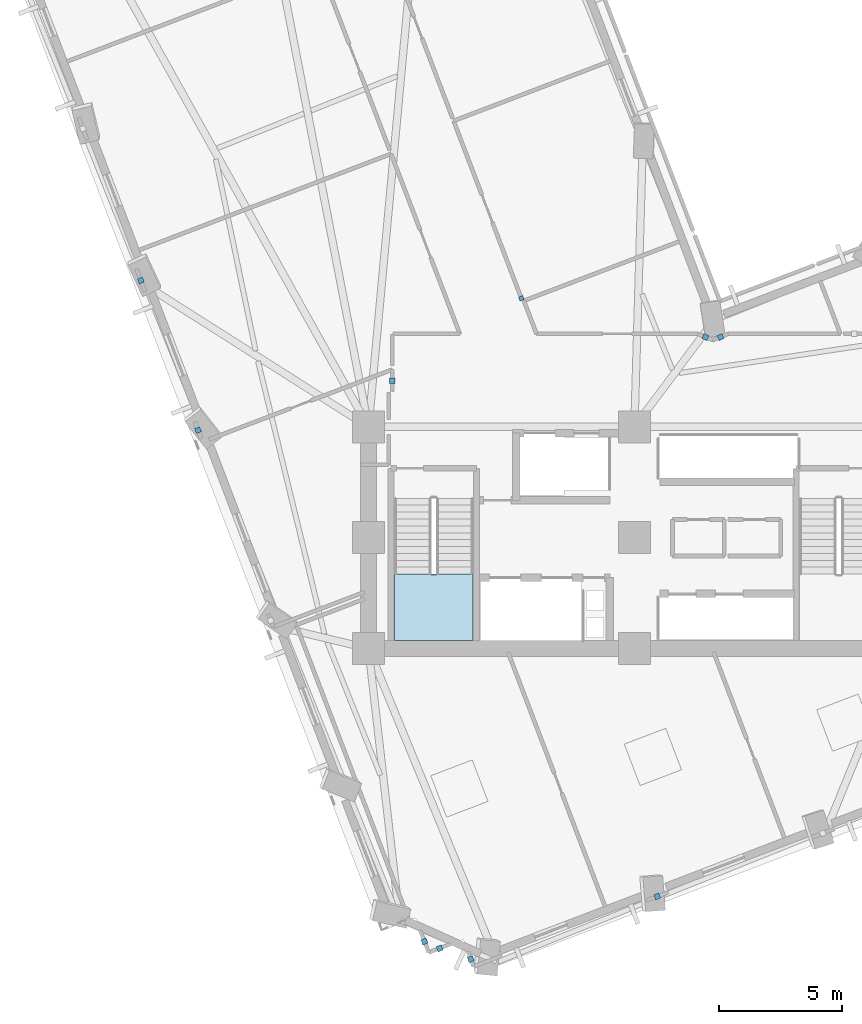
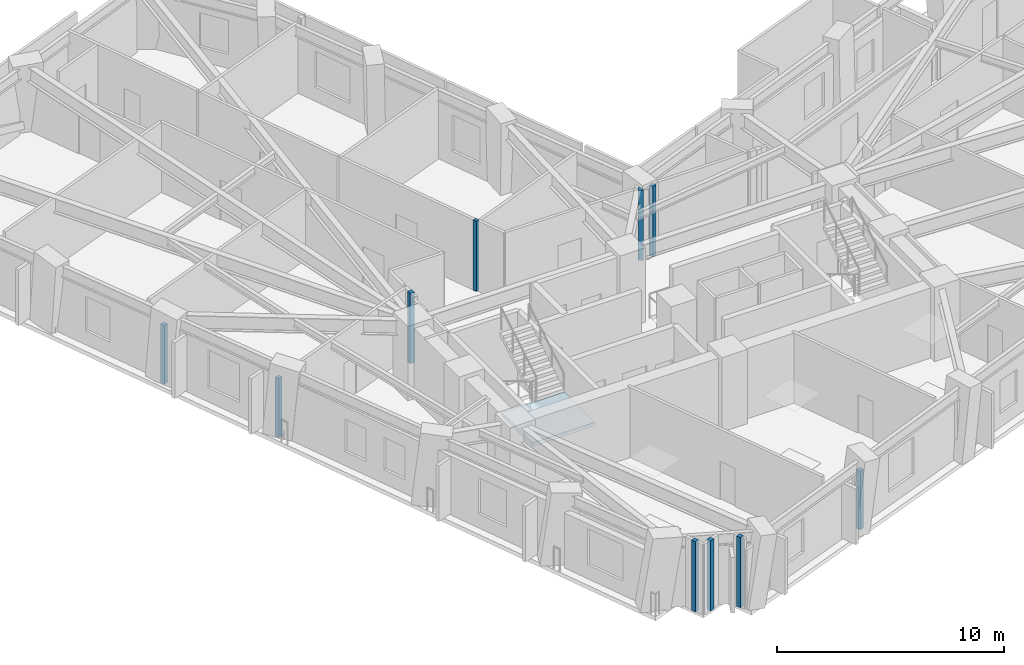
# One storey, part 3 of 15: 10 plates, 1 slab, 1 element without a shape of its own.
"""IFC4 building model written with IfcOpenShell, lengths in metres."""

from ifc_helpers import new_model, si_unit, direction, frame, origin, origin_2d, place, context, subcontext, project, spatial, polyline, rectangle, outline, extrude, material, layer, layer_set, type_object, element, aggregate, save


model = new_model("IFC4")

# Units and contexts
model_context = context("Model", 3, precision=1e-05, world=origin(), true_north=direction((0.0, 1.0)))
body_context = subcontext(model_context, "Body", "Model", "MODEL_VIEW")
ifc_project = project(units=[si_unit("LENGTHUNIT", "METRE"), si_unit("AREAUNIT", "SQUARE_METRE"), si_unit("VOLUMEUNIT", "CUBIC_METRE"), si_unit("PLANEANGLEUNIT", "RADIAN"), si_unit("MASSUNIT", "GRAM", prefix="KILO")], contexts=[model_context])

# Site, building, storey
site_placement = place(None, origin())
site = spatial("IfcSite", under=ifc_project, at=site_placement, CompositionType="ELEMENT")
building_placement = place(site_placement, origin())
building = spatial("IfcBuilding", under=site, at=building_placement, Name="Gaonmaruhae Medical Tower", CompositionType="ELEMENT")
storey_placement = place(building_placement, frame((0.0, 0.0, 112.39990234375)))
storey = spatial("IfcBuildingStorey", under=building, at=storey_placement, Name="L26", CompositionType="ELEMENT", Elevation=112.39990234375)

# Plates
ifc_material_1 = material(Name="Anodised aluminium 6063-T6", Category="aluminium")
ifc_layer_1 = layer(ifc_material_1, 0.011962890625)
ifc_layer_set_1 = layer_set([ifc_layer_1], Name="Anodised aluminium 6063-T6")
plate_type = type_object("IfcPlateType", Name="PP-01 Interior Partition Corner Stiffener Plate", PredefinedType="SHEET", material=ifc_layer_set_1)
plate_1_placement = place(storey_placement, frame((20.21044921875, 22.020263671875, 0.0), z_axis=(0.0, 0.0, 1.0), x_axis=(-0.356754304209, 0.934198247926, 0.0)))
element("IfcPlate", 1, at=plate_1_placement, inside=storey, type_object=plate_type, Name="L26 Partition End Jamb Post Plate PLT-L26-ENDP-PW085-0", PredefinedType="SHEET", context=body_context, shape_type="SweptSolid", body=[
    extrude(rectangle(XDim=0.179931640625, YDim=0.179931640625, at=origin_2d()), origin(), (0.0, 0.0, 1.0), 3.780029296875),
])
for number, where, z_axis, x_axis, name in (
    (2, (16.27099609375, -4.10400390625, 0.0), (0.0, 0.0, 1.0), (-0.356607556291, 0.934254275236, 0.0), "L26 Partition Corner Stiffener Plate PLT-L26-JGP-PW008"),
    (3, (18.14990234375, -4.820556640625, 0.0), (0.0, 0.0, 1.0), (-0.35677060899, 0.934192021247, 0.0), "L26 Partition Corner Stiffener Plate PLT-L26-JGP-PW013"),
    (4, (16.889892578125, -4.381103515625, 0.0), (0.0, 0.0, 1.0), (-0.934254275236, -0.356607556291, 0.0), "L26 Partition Corner Stiffener Plate PLT-L26-JGP-PW014"),
):
    element("IfcPlate", number, at=place(storey_placement, frame(where, z_axis=z_axis, x_axis=x_axis)), inside=storey, type_object=plate_type, Name=name, PredefinedType="SHEET", context=body_context, shape_type="SweptSolid", body=[
        extrude(rectangle(XDim=0.219970703125, YDim=0.219970703125, at=origin_2d()), origin(), (0.0, 0.0, 1.0), 3.780029296875),
    ])
plate_2_placement = place(storey_placement, frame((25.724609375, -2.2705078125, 0.0), z_axis=(0.0, 0.0, 1.0), x_axis=(-0.934372479409, -0.356297726239, 0.0)))
element("IfcPlate", 5, at=plate_2_placement, inside=storey, type_object=plate_type, Name="L26 Partition Corner Stiffener Plate PLT-L26-JGP-PW015", PredefinedType="SHEET", context=body_context, shape_type="SweptSolid", body=[
    extrude(rectangle(XDim=0.219970703125, YDim=0.219970703125, at=origin_2d()), origin(), (0.0, 0.0, 1.0), 3.1650390625),
])
plate_3_placement = place(storey_placement, frame((14.969970703125, 18.680419921875, 0.0), z_axis=(0.0, 0.0, 1.0), x_axis=(0.0, -1.0, 0.0)))
element("IfcPlate", 6, at=plate_3_placement, inside=storey, type_object=plate_type, Name="L26 Partition Corner Stiffener Plate PLT-L26-JGP-PW045", PredefinedType="SHEET", context=body_context, shape_type="SweptSolid", body=[
    extrude(rectangle(XDim=0.219970703125, YDim=0.219970703125, at=origin_2d()), origin(), (0.0, 0.0, 1.0), 3.780029296875),
])
for number, where, z_axis, x_axis, name in (
    (7, (7.076416015625, 16.6669921875, 0.0), (0.0, 0.0, 1.0), (-0.35699886451, 0.934104817854, 0.0), "L26 Partition Corner Stiffener Plate PLT-L26-JGP-PW047"),
    (8, (4.75439453125, 22.74609375, 0.0), (0.0, 0.0, 1.0), (-0.357145588947, 0.93404872908, 0.0), "L26 Partition Corner Stiffener Plate PLT-L26-JGP-PW048"),
):
    element("IfcPlate", number, at=place(storey_placement, frame(where, z_axis=z_axis, x_axis=x_axis)), inside=storey, type_object=plate_type, Name=name, PredefinedType="SHEET", context=body_context, shape_type="SweptSolid", body=[
        extrude(rectangle(XDim=0.219970703125, YDim=0.219970703125, at=origin_2d()), origin(), (0.0, 0.0, 1.0), 3.1650390625),
    ])
for number, where, z_axis, x_axis, name in (
    (9, (28.299072265625, 20.450927734375, 0.0), (0.0, 0.0, 1.0), (-0.921463620949, -0.388464664116, 0.0), "L26 Partition Corner Stiffener Plate PLT-L26-JGP-PW063"),
    (10, (27.68505859375, 20.450927734375, 0.0), (0.0, 0.0, 1.0), (-0.922369618366, 0.386308538754, 0.0), "L26 Partition Corner Stiffener Plate PLT-L26-JGP-PW064"),
):
    element("IfcPlate", number, at=place(storey_placement, frame(where, z_axis=z_axis, x_axis=x_axis)), inside=storey, type_object=plate_type, Name=name, PredefinedType="SHEET", context=body_context, shape_type="SweptSolid", body=[
        extrude(rectangle(XDim=0.219970703125, YDim=0.219970703125, at=origin_2d()), origin(), (0.0, 0.0, 1.0), 3.780029296875),
    ])

# Stair, slab
ifc_material_2 = material(Name="Concrete C40/50", Category="concrete")
stair_type = type_object("IfcStairType", Name="ST-T1 Primary Core Escape Dogleg Stair", PredefinedType="TWO_QUARTER_TURN_STAIR", material=ifc_material_2)
stair_placement = place(storey_placement, origin())
stair = element("IfcStair", 11, at=stair_placement, inside=storey, type_object=stair_type, Name="L26 Protected Escape Stair ST-01", PredefinedType="TWO_QUARTER_TURN_STAIR")
ifc_layer_2 = layer(ifc_material_2, 0.199951171875)
ifc_layer_set_2 = layer_set([ifc_layer_2], Name="Concrete C40/50")
slab_type = type_object("IfcSlabType", Name="SL-200 Stair & Ramp Intermediate Concrete Landing", PredefinedType="LANDING", material=ifc_layer_set_2)
slab_placement = place(storey_placement, frame((0.0, 0.0, 1.800048828125)))
slab = element("IfcSlab", 12, at=slab_placement, type_object=slab_type, Name="ST-01 landing 1", PredefinedType="LANDING", context=body_context, shape_type="SweptSolid", body=[
    extrude(outline(polyline([(15.050048828125, 10.820068359375), (15.050048828125, 8.12890625), (18.25, 8.12890625), (18.25, 10.820068359375), (15.050048828125, 10.820068359375)])), origin(), (0.0, 0.0, 1.0), 0.199951171875),
])
aggregate(stair, [slab])

save(model, "model.ifc")
